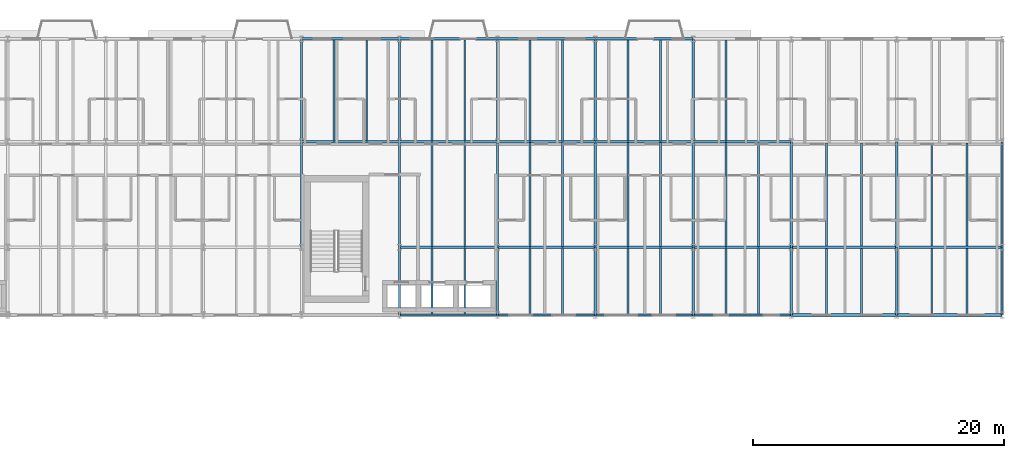
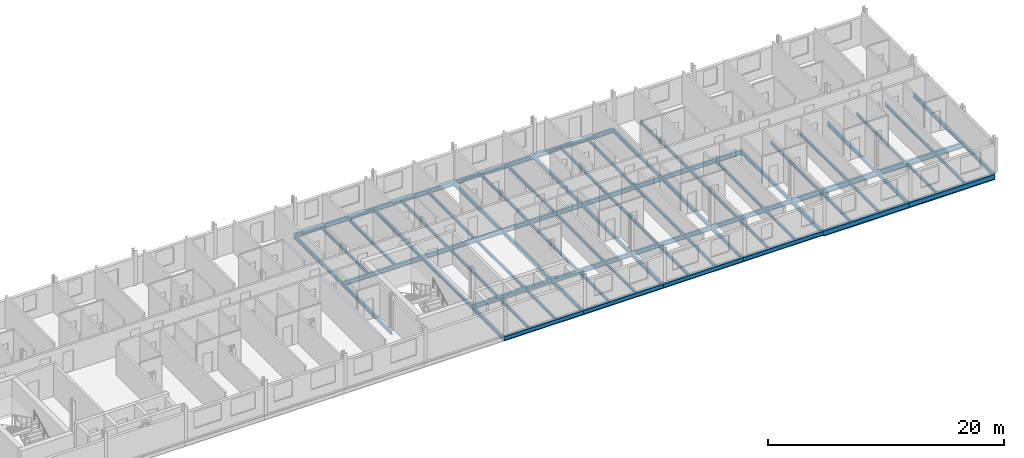
# One storey, part 13 of 36: 74 beams.
"""IFC4 building model written with IfcOpenShell, lengths in metres."""

from ifc_helpers import new_model, si_unit, direction, frame, origin, origin_2d, place, context, subcontext, project, spatial, i_section, extrude, material, material_profile, profile_set, type_object, element, save


model = new_model("IFC4")

# Units and contexts
model_context = context("Model", 3, precision=1e-05, world=origin(), true_north=direction((0.0, 1.0)))
body_context = subcontext(model_context, "Body", "Model", "MODEL_VIEW")
ifc_project = project(units=[si_unit("LENGTHUNIT", "METRE"), si_unit("AREAUNIT", "SQUARE_METRE"), si_unit("VOLUMEUNIT", "CUBIC_METRE"), si_unit("PLANEANGLEUNIT", "RADIAN"), si_unit("MASSUNIT", "GRAM", prefix="KILO")], contexts=[model_context])

# Site, building, storey
site_placement = place(None, origin())
site = spatial("IfcSite", under=ifc_project, at=site_placement, CompositionType="ELEMENT")
building_placement = place(site_placement, origin())
building = spatial("IfcBuilding", under=site, at=building_placement, Name="Sefraquen Railside Congress Hotel", CompositionType="ELEMENT")
storey_placement = place(building_placement, frame((0.0, 0.0, 28.199951171875)))
storey = spatial("IfcBuildingStorey", under=building, at=storey_placement, Name="L06", CompositionType="ELEMENT", Elevation=28.199951171875)

# Beams
ifc_material = material(Name="Steel S355JR", Category="steel")
ifc_material_profile_1 = material_profile(ifc_material, i_section(OverallWidth=0.179931640625, OverallDepth=0.39990234375, WebThickness=0.008544921875, FlangeThickness=0.013427734375, FilletRadius=0.02099609375, at=origin_2d()), Name="IPE 400")
ifc_profile_set_1 = profile_set([ifc_material_profile_1], Name="Steel S355JR")
beam_type_1 = type_object("IfcBeamType", Name="TB-BM-400I", PredefinedType="BEAM", material=ifc_profile_set_1)
beam_1_placement = place(storey_placement, frame((64.199951171875, 101.39990234375, -0.4599609375), z_axis=(0.0, 1.0, 0.0), x_axis=(-1.0, 0.0, 0.0)))
element("IfcBeam", 1, at=beam_1_placement, inside=storey, type_object=beam_type_1, Name="Floor beam BM-L06-1684", PredefinedType="BEAM", context=body_context, shape_type="SweptSolid", body=[
    extrude(i_section(OverallWidth=0.179931640625, OverallDepth=0.39990234375, WebThickness=0.008544921875, FlangeThickness=0.013427734375, FilletRadius=0.02099609375, at=origin_2d()), origin(), (0.0, 0.0, 1.0), 8.400146484375),
])
beam_2_placement = place(storey_placement, frame((64.199951171875, 109.800048828125, -0.4599609375), z_axis=(0.0, 1.0, 0.0), x_axis=(-1.0, 0.0, 0.0)))
element("IfcBeam", 2, at=beam_2_placement, inside=storey, type_object=beam_type_1, Name="Floor beam BM-L06-1685", PredefinedType="BEAM", context=body_context, shape_type="SweptSolid", body=[
    extrude(i_section(OverallWidth=0.179931640625, OverallDepth=0.39990234375, WebThickness=0.008544921875, FlangeThickness=0.013427734375, FilletRadius=0.02099609375, at=origin_2d()), origin(), (0.0, 0.0, 1.0), 8.199951171875),
])
beam_3_placement = place(storey_placement, frame((72.0, 96.0, -0.4599609375), z_axis=(0.0, 1.0, 0.0), x_axis=(-1.0, 0.0, 0.0)))
element("IfcBeam", 3, at=beam_3_placement, inside=storey, type_object=beam_type_1, Name="Floor beam BM-L06-1686", PredefinedType="BEAM", context=body_context, shape_type="SweptSolid", body=[
    extrude(i_section(OverallWidth=0.179931640625, OverallDepth=0.39990234375, WebThickness=0.008544921875, FlangeThickness=0.013427734375, FilletRadius=0.02099609375, at=origin_2d()), origin(), (0.0, 0.0, 1.0), 5.39990234375),
])
beam_4_placement = place(storey_placement, frame((72.0, 101.39990234375, -0.4599609375), z_axis=(0.0, 1.0, 0.0), x_axis=(-1.0, 0.0, 0.0)))
element("IfcBeam", 4, at=beam_4_placement, inside=storey, type_object=beam_type_1, Name="Floor beam BM-L06-1687", PredefinedType="BEAM", context=body_context, shape_type="SweptSolid", body=[
    extrude(i_section(OverallWidth=0.179931640625, OverallDepth=0.39990234375, WebThickness=0.008544921875, FlangeThickness=0.013427734375, FilletRadius=0.02099609375, at=origin_2d()), origin(), (0.0, 0.0, 1.0), 8.400146484375),
])
beam_5_placement = place(storey_placement, frame((72.0, 109.800048828125, -0.4599609375), z_axis=(0.0, 1.0, 0.0), x_axis=(-1.0, 0.0, 0.0)))
element("IfcBeam", 5, at=beam_5_placement, inside=storey, type_object=beam_type_1, Name="Floor beam BM-L06-1688", PredefinedType="BEAM", context=body_context, shape_type="SweptSolid", body=[
    extrude(i_section(OverallWidth=0.179931640625, OverallDepth=0.39990234375, WebThickness=0.008544921875, FlangeThickness=0.013427734375, FilletRadius=0.02099609375, at=origin_2d()), origin(), (0.0, 0.0, 1.0), 8.199951171875),
])
beam_6_placement = place(storey_placement, frame((79.800048828125, 96.0, -0.4599609375), z_axis=(0.0, 1.0, 0.0), x_axis=(-1.0, 0.0, 0.0)))
element("IfcBeam", 6, at=beam_6_placement, inside=storey, type_object=beam_type_1, Name="Floor beam BM-L06-1689", PredefinedType="BEAM", context=body_context, shape_type="SweptSolid", body=[
    extrude(i_section(OverallWidth=0.179931640625, OverallDepth=0.39990234375, WebThickness=0.008544921875, FlangeThickness=0.013427734375, FilletRadius=0.02099609375, at=origin_2d()), origin(), (0.0, 0.0, 1.0), 5.39990234375),
])
beam_7_placement = place(storey_placement, frame((79.800048828125, 101.39990234375, -0.4599609375), z_axis=(0.0, 1.0, 0.0), x_axis=(-1.0, 0.0, 0.0)))
element("IfcBeam", 7, at=beam_7_placement, inside=storey, type_object=beam_type_1, Name="Floor beam BM-L06-1690", PredefinedType="BEAM", context=body_context, shape_type="SweptSolid", body=[
    extrude(i_section(OverallWidth=0.179931640625, OverallDepth=0.39990234375, WebThickness=0.008544921875, FlangeThickness=0.013427734375, FilletRadius=0.02099609375, at=origin_2d()), origin(), (0.0, 0.0, 1.0), 8.400146484375),
])
beam_8_placement = place(storey_placement, frame((79.800048828125, 109.800048828125, -0.4599609375), z_axis=(0.0, 1.0, 0.0), x_axis=(-1.0, 0.0, 0.0)))
element("IfcBeam", 8, at=beam_8_placement, inside=storey, type_object=beam_type_1, Name="Floor beam BM-L06-1691", PredefinedType="BEAM", context=body_context, shape_type="SweptSolid", body=[
    extrude(i_section(OverallWidth=0.179931640625, OverallDepth=0.39990234375, WebThickness=0.008544921875, FlangeThickness=0.013427734375, FilletRadius=0.02099609375, at=origin_2d()), origin(), (0.0, 0.0, 1.0), 8.199951171875),
])
beam_9_placement = place(storey_placement, frame((87.60009765625, 96.0, -0.4599609375), z_axis=(0.0, 1.0, 0.0), x_axis=(-1.0, 0.0, 0.0)))
element("IfcBeam", 9, at=beam_9_placement, inside=storey, type_object=beam_type_1, Name="Floor beam BM-L06-1692", PredefinedType="BEAM", context=body_context, shape_type="SweptSolid", body=[
    extrude(i_section(OverallWidth=0.179931640625, OverallDepth=0.39990234375, WebThickness=0.008544921875, FlangeThickness=0.013427734375, FilletRadius=0.02099609375, at=origin_2d()), origin(), (0.0, 0.0, 1.0), 5.39990234375),
])
beam_10_placement = place(storey_placement, frame((87.60009765625, 101.39990234375, -0.4599609375), z_axis=(0.0, 1.0, 0.0), x_axis=(-1.0, 0.0, 0.0)))
element("IfcBeam", 10, at=beam_10_placement, inside=storey, type_object=beam_type_1, Name="Floor beam BM-L06-1693", PredefinedType="BEAM", context=body_context, shape_type="SweptSolid", body=[
    extrude(i_section(OverallWidth=0.179931640625, OverallDepth=0.39990234375, WebThickness=0.008544921875, FlangeThickness=0.013427734375, FilletRadius=0.02099609375, at=origin_2d()), origin(), (0.0, 0.0, 1.0), 8.400146484375),
])
beam_11_placement = place(storey_placement, frame((87.60009765625, 109.800048828125, -0.4599609375), z_axis=(0.0, 1.0, 0.0), x_axis=(-1.0, 0.0, 0.0)))
element("IfcBeam", 11, at=beam_11_placement, inside=storey, type_object=beam_type_1, Name="Floor beam BM-L06-1694", PredefinedType="BEAM", context=body_context, shape_type="SweptSolid", body=[
    extrude(i_section(OverallWidth=0.179931640625, OverallDepth=0.39990234375, WebThickness=0.008544921875, FlangeThickness=0.013427734375, FilletRadius=0.02099609375, at=origin_2d()), origin(), (0.0, 0.0, 1.0), 8.199951171875),
])
beam_12_placement = place(storey_placement, frame((95.39990234375, 96.0, -0.4599609375), z_axis=(0.0, 1.0, 0.0), x_axis=(-1.0, 0.0, 0.0)))
element("IfcBeam", 12, at=beam_12_placement, inside=storey, type_object=beam_type_1, Name="Floor beam BM-L06-1695", PredefinedType="BEAM", context=body_context, shape_type="SweptSolid", body=[
    extrude(i_section(OverallWidth=0.179931640625, OverallDepth=0.39990234375, WebThickness=0.008544921875, FlangeThickness=0.013427734375, FilletRadius=0.02099609375, at=origin_2d()), origin(), (0.0, 0.0, 1.0), 5.39990234375),
])
beam_13_placement = place(storey_placement, frame((95.39990234375, 101.39990234375, -0.4599609375), z_axis=(0.0, 1.0, 0.0), x_axis=(-1.0, 0.0, 0.0)))
element("IfcBeam", 13, at=beam_13_placement, inside=storey, type_object=beam_type_1, Name="Floor beam BM-L06-1696", PredefinedType="BEAM", context=body_context, shape_type="SweptSolid", body=[
    extrude(i_section(OverallWidth=0.179931640625, OverallDepth=0.39990234375, WebThickness=0.008544921875, FlangeThickness=0.013427734375, FilletRadius=0.02099609375, at=origin_2d()), origin(), (0.0, 0.0, 1.0), 8.400146484375),
])
beam_14_placement = place(storey_placement, frame((95.39990234375, 109.800048828125, -0.4599609375), z_axis=(0.0, 1.0, 0.0), x_axis=(-1.0, 0.0, 0.0)))
element("IfcBeam", 14, at=beam_14_placement, inside=storey, type_object=beam_type_1, Name="Floor beam BM-L06-1697", PredefinedType="BEAM", context=body_context, shape_type="SweptSolid", body=[
    extrude(i_section(OverallWidth=0.179931640625, OverallDepth=0.39990234375, WebThickness=0.008544921875, FlangeThickness=0.013427734375, FilletRadius=0.02099609375, at=origin_2d()), origin(), (0.0, 0.0, 1.0), 8.199951171875),
])
beam_15_placement = place(storey_placement, frame((103.199951171875, 96.0, -0.4599609375), z_axis=(0.0, 1.0, 0.0), x_axis=(-1.0, 0.0, 0.0)))
element("IfcBeam", 15, at=beam_15_placement, inside=storey, type_object=beam_type_1, Name="Floor beam BM-L06-1698", PredefinedType="BEAM", context=body_context, shape_type="SweptSolid", body=[
    extrude(i_section(OverallWidth=0.179931640625, OverallDepth=0.39990234375, WebThickness=0.008544921875, FlangeThickness=0.013427734375, FilletRadius=0.02099609375, at=origin_2d()), origin(), (0.0, 0.0, 1.0), 5.39990234375),
])
beam_16_placement = place(storey_placement, frame((103.199951171875, 101.39990234375, -0.4599609375), z_axis=(0.0, 1.0, 0.0), x_axis=(-1.0, 0.0, 0.0)))
element("IfcBeam", 16, at=beam_16_placement, inside=storey, type_object=beam_type_1, Name="Floor beam BM-L06-1699", PredefinedType="BEAM", context=body_context, shape_type="SweptSolid", body=[
    extrude(i_section(OverallWidth=0.179931640625, OverallDepth=0.39990234375, WebThickness=0.008544921875, FlangeThickness=0.013427734375, FilletRadius=0.02099609375, at=origin_2d()), origin(), (0.0, 0.0, 1.0), 8.400146484375),
])
beam_17_placement = place(storey_placement, frame((111.60009765625, 96.0, -0.4599609375), z_axis=(0.0, 1.0, 0.0), x_axis=(-1.0, 0.0, 0.0)))
element("IfcBeam", 17, at=beam_17_placement, inside=storey, type_object=beam_type_1, Name="Floor beam BM-L06-1701", PredefinedType="BEAM", context=body_context, shape_type="SweptSolid", body=[
    extrude(i_section(OverallWidth=0.179931640625, OverallDepth=0.39990234375, WebThickness=0.008544921875, FlangeThickness=0.013427734375, FilletRadius=0.02099609375, at=origin_2d()), origin(), (0.0, 0.0, 1.0), 5.39990234375),
])
beam_18_placement = place(storey_placement, frame((111.60009765625, 101.39990234375, -0.4599609375), z_axis=(0.0, 1.0, 0.0), x_axis=(-1.0, 0.0, 0.0)))
element("IfcBeam", 18, at=beam_18_placement, inside=storey, type_object=beam_type_1, Name="Floor beam BM-L06-1702", PredefinedType="BEAM", context=body_context, shape_type="SweptSolid", body=[
    extrude(i_section(OverallWidth=0.179931640625, OverallDepth=0.39990234375, WebThickness=0.008544921875, FlangeThickness=0.013427734375, FilletRadius=0.02099609375, at=origin_2d()), origin(), (0.0, 0.0, 1.0), 8.400146484375),
])
beam_19_placement = place(storey_placement, frame((120.0, 96.0, -0.4599609375), z_axis=(0.0, 1.0, 0.0), x_axis=(-1.0, 0.0, 0.0)))
element("IfcBeam", 19, at=beam_19_placement, inside=storey, type_object=beam_type_1, Name="Floor beam BM-L06-1704", PredefinedType="BEAM", context=body_context, shape_type="SweptSolid", body=[
    extrude(i_section(OverallWidth=0.179931640625, OverallDepth=0.39990234375, WebThickness=0.008544921875, FlangeThickness=0.013427734375, FilletRadius=0.02099609375, at=origin_2d()), origin(), (0.0, 0.0, 1.0), 5.39990234375),
])
beam_20_placement = place(storey_placement, frame((120.0, 101.39990234375, -0.4599609375), z_axis=(0.0, 1.0, 0.0), x_axis=(-1.0, 0.0, 0.0)))
element("IfcBeam", 20, at=beam_20_placement, inside=storey, type_object=beam_type_1, Name="Floor beam BM-L06-1705", PredefinedType="BEAM", context=body_context, shape_type="SweptSolid", body=[
    extrude(i_section(OverallWidth=0.179931640625, OverallDepth=0.39990234375, WebThickness=0.008544921875, FlangeThickness=0.013427734375, FilletRadius=0.02099609375, at=origin_2d()), origin(), (0.0, 0.0, 1.0), 8.400146484375),
])
ifc_material_profile_2 = material_profile(ifc_material, i_section(OverallWidth=0.18994140625, OverallDepth=0.449951171875, WebThickness=0.009521484375, FlangeThickness=0.0146484375, FilletRadius=0.02099609375, at=origin_2d()), Name="IPE 450")
ifc_profile_set_2 = profile_set([ifc_material_profile_2], Name="Steel S355JR")
beam_type_2 = type_object("IfcBeamType", Name="TB-BM-450", PredefinedType="BEAM", material=ifc_profile_set_2)
for number, where, z_axis, x_axis, name in (
    (21, (72.0, 96.0, -0.48486328125), (1.0, 0.0, 0.0), (0.0, 1.0, 0.0), "Primary girder BM-L06-1605"),
    (22, (79.800048828125, 96.0, -0.48486328125), (1.0, 0.0, 0.0), (0.0, 1.0, 0.0), "Primary girder BM-L06-1606"),
):
    element("IfcBeam", number, at=place(storey_placement, frame(where, z_axis=z_axis, x_axis=x_axis)), inside=storey, type_object=beam_type_2, Name=name, PredefinedType="BEAM", context=body_context, shape_type="SweptSolid", body=[
        extrude(i_section(OverallWidth=0.18994140625, OverallDepth=0.449951171875, WebThickness=0.009521484375, FlangeThickness=0.0146484375, FilletRadius=0.02099609375, at=origin_2d()), origin(), (0.0, 0.0, 1.0), 7.800048828125),
    ])
beam_21_placement = place(storey_placement, frame((87.60009765625, 96.0, -0.48486328125), z_axis=(1.0, 0.0, 0.0), x_axis=(0.0, 1.0, 0.0)))
element("IfcBeam", 23, at=beam_21_placement, inside=storey, type_object=beam_type_2, Name="Primary girder BM-L06-1607", PredefinedType="BEAM", context=body_context, shape_type="SweptSolid", body=[
    extrude(i_section(OverallWidth=0.18994140625, OverallDepth=0.449951171875, WebThickness=0.009521484375, FlangeThickness=0.0146484375, FilletRadius=0.02099609375, at=origin_2d()), origin(), (0.0, 0.0, 1.0), 7.7998046875),
])
for number, where, z_axis, x_axis, name in (
    (24, (95.39990234375, 96.0, -0.48486328125), (1.0, 0.0, 0.0), (0.0, 1.0, 0.0), "Primary girder BM-L06-1608"),
    (25, (72.0, 101.39990234375, -0.48486328125), (1.0, 0.0, 0.0), (0.0, 1.0, 0.0), "Primary girder BM-L06-1617"),
    (26, (79.800048828125, 101.39990234375, -0.48486328125), (1.0, 0.0, 0.0), (0.0, 1.0, 0.0), "Primary girder BM-L06-1618"),
):
    element("IfcBeam", number, at=place(storey_placement, frame(where, z_axis=z_axis, x_axis=x_axis)), inside=storey, type_object=beam_type_2, Name=name, PredefinedType="BEAM", context=body_context, shape_type="SweptSolid", body=[
        extrude(i_section(OverallWidth=0.18994140625, OverallDepth=0.449951171875, WebThickness=0.009521484375, FlangeThickness=0.0146484375, FilletRadius=0.02099609375, at=origin_2d()), origin(), (0.0, 0.0, 1.0), 7.800048828125),
    ])
beam_22_placement = place(storey_placement, frame((87.60009765625, 101.39990234375, -0.48486328125), z_axis=(1.0, 0.0, 0.0), x_axis=(0.0, 1.0, 0.0)))
element("IfcBeam", 27, at=beam_22_placement, inside=storey, type_object=beam_type_2, Name="Primary girder BM-L06-1619", PredefinedType="BEAM", context=body_context, shape_type="SweptSolid", body=[
    extrude(i_section(OverallWidth=0.18994140625, OverallDepth=0.449951171875, WebThickness=0.009521484375, FlangeThickness=0.0146484375, FilletRadius=0.02099609375, at=origin_2d()), origin(), (0.0, 0.0, 1.0), 7.7998046875),
])
for number, where, z_axis, x_axis, name in (
    (28, (95.39990234375, 101.39990234375, -0.48486328125), (1.0, 0.0, 0.0), (0.0, 1.0, 0.0), "Primary girder BM-L06-1620"),
    (29, (64.199951171875, 109.800048828125, -0.48486328125), (1.0, 0.0, 0.0), (0.0, 1.0, 0.0), "Primary girder BM-L06-1630"),
    (30, (72.0, 109.800048828125, -0.48486328125), (1.0, 0.0, 0.0), (0.0, 1.0, 0.0), "Primary girder BM-L06-1631"),
    (31, (79.800048828125, 109.800048828125, -0.48486328125), (1.0, 0.0, 0.0), (0.0, 1.0, 0.0), "Primary girder BM-L06-1632"),
):
    element("IfcBeam", number, at=place(storey_placement, frame(where, z_axis=z_axis, x_axis=x_axis)), inside=storey, type_object=beam_type_2, Name=name, PredefinedType="BEAM", context=body_context, shape_type="SweptSolid", body=[
        extrude(i_section(OverallWidth=0.18994140625, OverallDepth=0.449951171875, WebThickness=0.009521484375, FlangeThickness=0.0146484375, FilletRadius=0.02099609375, at=origin_2d()), origin(), (0.0, 0.0, 1.0), 7.800048828125),
    ])
beam_23_placement = place(storey_placement, frame((87.60009765625, 109.800048828125, -0.48486328125), z_axis=(1.0, 0.0, 0.0), x_axis=(0.0, 1.0, 0.0)))
element("IfcBeam", 32, at=beam_23_placement, inside=storey, type_object=beam_type_2, Name="Primary girder BM-L06-1633", PredefinedType="BEAM", context=body_context, shape_type="SweptSolid", body=[
    extrude(i_section(OverallWidth=0.18994140625, OverallDepth=0.449951171875, WebThickness=0.009521484375, FlangeThickness=0.0146484375, FilletRadius=0.02099609375, at=origin_2d()), origin(), (0.0, 0.0, 1.0), 7.7998046875),
])
for number, where, z_axis, x_axis, name in (
    (33, (95.39990234375, 109.800048828125, -0.48486328125), (1.0, 0.0, 0.0), (0.0, 1.0, 0.0), "Primary girder BM-L06-1634"),
    (34, (64.199951171875, 118.0, -0.48486328125), (1.0, 0.0, 0.0), (0.0, 1.0, 0.0), "Primary girder BM-L06-1642"),
    (35, (72.0, 118.0, -0.48486328125), (1.0, 0.0, 0.0), (0.0, 1.0, 0.0), "Primary girder BM-L06-1643"),
    (36, (79.800048828125, 118.0, -0.48486328125), (1.0, 0.0, 0.0), (0.0, 1.0, 0.0), "Primary girder BM-L06-1644"),
):
    element("IfcBeam", number, at=place(storey_placement, frame(where, z_axis=z_axis, x_axis=x_axis)), inside=storey, type_object=beam_type_2, Name=name, PredefinedType="BEAM", context=body_context, shape_type="SweptSolid", body=[
        extrude(i_section(OverallWidth=0.18994140625, OverallDepth=0.449951171875, WebThickness=0.009521484375, FlangeThickness=0.0146484375, FilletRadius=0.02099609375, at=origin_2d()), origin(), (0.0, 0.0, 1.0), 7.800048828125),
    ])
beam_24_placement = place(storey_placement, frame((87.60009765625, 118.0, -0.48486328125), z_axis=(1.0, 0.0, 0.0), x_axis=(0.0, 1.0, 0.0)))
element("IfcBeam", 37, at=beam_24_placement, inside=storey, type_object=beam_type_2, Name="Primary girder BM-L06-1645", PredefinedType="BEAM", context=body_context, shape_type="SweptSolid", body=[
    extrude(i_section(OverallWidth=0.18994140625, OverallDepth=0.449951171875, WebThickness=0.009521484375, FlangeThickness=0.0146484375, FilletRadius=0.02099609375, at=origin_2d()), origin(), (0.0, 0.0, 1.0), 7.7998046875),
])
ifc_material_profile_3 = material_profile(ifc_material, i_section(OverallWidth=0.2099609375, OverallDepth=0.550048828125, WebThickness=0.010986328125, FlangeThickness=0.01708984375, FilletRadius=0.02392578125, at=origin_2d()), Name="IPE 550")
ifc_profile_set_3 = profile_set([ifc_material_profile_3], Name="Steel S355JR")
beam_type_3 = type_object("IfcBeamType", Name="TB-GIR-550", PredefinedType="T_BEAM", material=ifc_profile_set_3)
beam_25_placement = place(storey_placement, frame((103.199951171875, 96.0, -0.534912109375), z_axis=(1.0, 0.0, 0.0), x_axis=(0.0, 1.0, 0.0)))
element("IfcBeam", 38, at=beam_25_placement, inside=storey, type_object=beam_type_3, Name="Primary girder BM-L06-1609", PredefinedType="T_BEAM", context=body_context, shape_type="SweptSolid", body=[
    extrude(i_section(OverallWidth=0.2099609375, OverallDepth=0.550048828125, WebThickness=0.010986328125, FlangeThickness=0.01708984375, FilletRadius=0.02392578125, at=origin_2d()), origin(), (0.0, 0.0, 1.0), 8.400146484375),
])
beam_26_placement = place(storey_placement, frame((111.60009765625, 96.0, -0.534912109375), z_axis=(1.0, 0.0, 0.0), x_axis=(0.0, 1.0, 0.0)))
element("IfcBeam", 39, at=beam_26_placement, inside=storey, type_object=beam_type_3, Name="Primary girder BM-L06-1610", PredefinedType="T_BEAM", context=body_context, shape_type="SweptSolid", body=[
    extrude(i_section(OverallWidth=0.2099609375, OverallDepth=0.550048828125, WebThickness=0.010986328125, FlangeThickness=0.01708984375, FilletRadius=0.02392578125, at=origin_2d()), origin(), (0.0, 0.0, 1.0), 8.39990234375),
])
beam_27_placement = place(storey_placement, frame((103.199951171875, 101.39990234375, -0.534912109375), z_axis=(1.0, 0.0, 0.0), x_axis=(0.0, 1.0, 0.0)))
element("IfcBeam", 40, at=beam_27_placement, inside=storey, type_object=beam_type_3, Name="Primary girder BM-L06-1621", PredefinedType="T_BEAM", context=body_context, shape_type="SweptSolid", body=[
    extrude(i_section(OverallWidth=0.2099609375, OverallDepth=0.550048828125, WebThickness=0.010986328125, FlangeThickness=0.01708984375, FilletRadius=0.02392578125, at=origin_2d()), origin(), (0.0, 0.0, 1.0), 8.400146484375),
])
beam_28_placement = place(storey_placement, frame((111.60009765625, 101.39990234375, -0.534912109375), z_axis=(1.0, 0.0, 0.0), x_axis=(0.0, 1.0, 0.0)))
element("IfcBeam", 41, at=beam_28_placement, inside=storey, type_object=beam_type_3, Name="Primary girder BM-L06-1622", PredefinedType="T_BEAM", context=body_context, shape_type="SweptSolid", body=[
    extrude(i_section(OverallWidth=0.2099609375, OverallDepth=0.550048828125, WebThickness=0.010986328125, FlangeThickness=0.01708984375, FilletRadius=0.02392578125, at=origin_2d()), origin(), (0.0, 0.0, 1.0), 8.39990234375),
])
ifc_material_profile_4 = material_profile(ifc_material, i_section(OverallWidth=0.14990234375, OverallDepth=0.300048828125, WebThickness=0.007080078125, FlangeThickness=0.0107421875, FilletRadius=0.014892578125, at=origin_2d()), Name="IPE 300")
ifc_profile_set_4 = profile_set([ifc_material_profile_4], Name="Steel S355JR")
beam_type_4 = type_object("IfcBeamType", Name="TB-JST-300", PredefinedType="JOIST", material=ifc_profile_set_4)
for number, where, z_axis, x_axis, name in (
    (42, (66.800048828125, 109.875, -0.409912109375), (0.0, 1.0, 0.0), (-1.0, 0.0, 0.0), "Composite floor joist BM-L06-J1106"),
    (43, (69.39990234375, 109.875, -0.409912109375), (0.0, 1.0, 0.0), (-1.0, 0.0, 0.0), "Composite floor joist BM-L06-J1107"),
):
    element("IfcBeam", number, at=place(storey_placement, frame(where, z_axis=z_axis, x_axis=x_axis)), inside=storey, type_object=beam_type_4, Name=name, PredefinedType="JOIST", context=body_context, shape_type="SweptSolid", body=[
        extrude(i_section(OverallWidth=0.14990234375, OverallDepth=0.300048828125, WebThickness=0.007080078125, FlangeThickness=0.0107421875, FilletRadius=0.014892578125, at=origin_2d()), origin(), (0.0, 0.0, 1.0), 8.050048828125),
    ])
for number, where, z_axis, x_axis, name in (
    (44, (74.60009765625, 96.074951171875, -0.409912109375), (0.0, 1.0, 0.0), (-1.0, 0.0, 0.0), "Composite floor joist BM-L06-J1108"),
    (45, (77.199951171875, 96.074951171875, -0.409912109375), (0.0, 1.0, 0.0), (-1.0, 0.0, 0.0), "Composite floor joist BM-L06-J1109"),
):
    element("IfcBeam", number, at=place(storey_placement, frame(where, z_axis=z_axis, x_axis=x_axis)), inside=storey, type_object=beam_type_4, Name=name, PredefinedType="JOIST", context=body_context, shape_type="SweptSolid", body=[
        extrude(i_section(OverallWidth=0.14990234375, OverallDepth=0.300048828125, WebThickness=0.007080078125, FlangeThickness=0.0107421875, FilletRadius=0.014892578125, at=origin_2d()), origin(), (0.0, 0.0, 1.0), 5.25),
    ])
for number, where, z_axis, x_axis, name in (
    (46, (74.60009765625, 101.47509765625, -0.409912109375), (0.0, 1.0, 0.0), (-1.0, 0.0, 0.0), "Composite floor joist BM-L06-J1110"),
    (47, (77.199951171875, 101.47509765625, -0.409912109375), (0.0, 1.0, 0.0), (-1.0, 0.0, 0.0), "Composite floor joist BM-L06-J1111"),
):
    element("IfcBeam", number, at=place(storey_placement, frame(where, z_axis=z_axis, x_axis=x_axis)), inside=storey, type_object=beam_type_4, Name=name, PredefinedType="JOIST", context=body_context, shape_type="SweptSolid", body=[
        extrude(i_section(OverallWidth=0.14990234375, OverallDepth=0.300048828125, WebThickness=0.007080078125, FlangeThickness=0.0107421875, FilletRadius=0.014892578125, at=origin_2d()), origin(), (0.0, 0.0, 1.0), 8.25),
    ])
for number, where, z_axis, x_axis, name in (
    (48, (74.60009765625, 109.875, -0.409912109375), (0.0, 1.0, 0.0), (-1.0, 0.0, 0.0), "Composite floor joist BM-L06-J1112"),
    (49, (77.199951171875, 109.875, -0.409912109375), (0.0, 1.0, 0.0), (-1.0, 0.0, 0.0), "Composite floor joist BM-L06-J1113"),
):
    element("IfcBeam", number, at=place(storey_placement, frame(where, z_axis=z_axis, x_axis=x_axis)), inside=storey, type_object=beam_type_4, Name=name, PredefinedType="JOIST", context=body_context, shape_type="SweptSolid", body=[
        extrude(i_section(OverallWidth=0.14990234375, OverallDepth=0.300048828125, WebThickness=0.007080078125, FlangeThickness=0.0107421875, FilletRadius=0.014892578125, at=origin_2d()), origin(), (0.0, 0.0, 1.0), 8.050048828125),
    ])
for number, where, z_axis, x_axis, name in (
    (50, (82.39990234375, 96.074951171875, -0.409912109375), (0.0, 1.0, 0.0), (-1.0, 0.0, 0.0), "Composite floor joist BM-L06-J1114"),
    (51, (85.0, 96.074951171875, -0.409912109375), (0.0, 1.0, 0.0), (-1.0, 0.0, 0.0), "Composite floor joist BM-L06-J1115"),
):
    element("IfcBeam", number, at=place(storey_placement, frame(where, z_axis=z_axis, x_axis=x_axis)), inside=storey, type_object=beam_type_4, Name=name, PredefinedType="JOIST", context=body_context, shape_type="SweptSolid", body=[
        extrude(i_section(OverallWidth=0.14990234375, OverallDepth=0.300048828125, WebThickness=0.007080078125, FlangeThickness=0.0107421875, FilletRadius=0.014892578125, at=origin_2d()), origin(), (0.0, 0.0, 1.0), 5.25),
    ])
for number, where, z_axis, x_axis, name in (
    (52, (82.39990234375, 101.47509765625, -0.409912109375), (0.0, 1.0, 0.0), (-1.0, 0.0, 0.0), "Composite floor joist BM-L06-J1116"),
    (53, (85.0, 101.47509765625, -0.409912109375), (0.0, 1.0, 0.0), (-1.0, 0.0, 0.0), "Composite floor joist BM-L06-J1117"),
):
    element("IfcBeam", number, at=place(storey_placement, frame(where, z_axis=z_axis, x_axis=x_axis)), inside=storey, type_object=beam_type_4, Name=name, PredefinedType="JOIST", context=body_context, shape_type="SweptSolid", body=[
        extrude(i_section(OverallWidth=0.14990234375, OverallDepth=0.300048828125, WebThickness=0.007080078125, FlangeThickness=0.0107421875, FilletRadius=0.014892578125, at=origin_2d()), origin(), (0.0, 0.0, 1.0), 8.25),
    ])
for number, where, z_axis, x_axis, name in (
    (54, (82.39990234375, 109.875, -0.409912109375), (0.0, 1.0, 0.0), (-1.0, 0.0, 0.0), "Composite floor joist BM-L06-J1118"),
    (55, (85.0, 109.875, -0.409912109375), (0.0, 1.0, 0.0), (-1.0, 0.0, 0.0), "Composite floor joist BM-L06-J1119"),
):
    element("IfcBeam", number, at=place(storey_placement, frame(where, z_axis=z_axis, x_axis=x_axis)), inside=storey, type_object=beam_type_4, Name=name, PredefinedType="JOIST", context=body_context, shape_type="SweptSolid", body=[
        extrude(i_section(OverallWidth=0.14990234375, OverallDepth=0.300048828125, WebThickness=0.007080078125, FlangeThickness=0.0107421875, FilletRadius=0.014892578125, at=origin_2d()), origin(), (0.0, 0.0, 1.0), 8.050048828125),
    ])
for number, where, z_axis, x_axis, name in (
    (56, (90.199951171875, 96.074951171875, -0.409912109375), (0.0, 1.0, 0.0), (-1.0, 0.0, 0.0), "Composite floor joist BM-L06-J1120"),
    (57, (92.800048828125, 96.074951171875, -0.409912109375), (0.0, 1.0, 0.0), (-1.0, 0.0, 0.0), "Composite floor joist BM-L06-J1121"),
):
    element("IfcBeam", number, at=place(storey_placement, frame(where, z_axis=z_axis, x_axis=x_axis)), inside=storey, type_object=beam_type_4, Name=name, PredefinedType="JOIST", context=body_context, shape_type="SweptSolid", body=[
        extrude(i_section(OverallWidth=0.14990234375, OverallDepth=0.300048828125, WebThickness=0.007080078125, FlangeThickness=0.0107421875, FilletRadius=0.014892578125, at=origin_2d()), origin(), (0.0, 0.0, 1.0), 5.25),
    ])
for number, where, z_axis, x_axis, name in (
    (58, (90.199951171875, 101.47509765625, -0.409912109375), (0.0, 1.0, 0.0), (-1.0, 0.0, 0.0), "Composite floor joist BM-L06-J1122"),
    (59, (92.800048828125, 101.47509765625, -0.409912109375), (0.0, 1.0, 0.0), (-1.0, 0.0, 0.0), "Composite floor joist BM-L06-J1123"),
):
    element("IfcBeam", number, at=place(storey_placement, frame(where, z_axis=z_axis, x_axis=x_axis)), inside=storey, type_object=beam_type_4, Name=name, PredefinedType="JOIST", context=body_context, shape_type="SweptSolid", body=[
        extrude(i_section(OverallWidth=0.14990234375, OverallDepth=0.300048828125, WebThickness=0.007080078125, FlangeThickness=0.0107421875, FilletRadius=0.014892578125, at=origin_2d()), origin(), (0.0, 0.0, 1.0), 8.25),
    ])
for number, where, z_axis, x_axis, name in (
    (60, (90.199951171875, 109.875, -0.409912109375), (0.0, 1.0, 0.0), (-1.0, 0.0, 0.0), "Composite floor joist BM-L06-J1124"),
    (61, (92.800048828125, 109.875, -0.409912109375), (0.0, 1.0, 0.0), (-1.0, 0.0, 0.0), "Composite floor joist BM-L06-J1125"),
):
    element("IfcBeam", number, at=place(storey_placement, frame(where, z_axis=z_axis, x_axis=x_axis)), inside=storey, type_object=beam_type_4, Name=name, PredefinedType="JOIST", context=body_context, shape_type="SweptSolid", body=[
        extrude(i_section(OverallWidth=0.14990234375, OverallDepth=0.300048828125, WebThickness=0.007080078125, FlangeThickness=0.0107421875, FilletRadius=0.014892578125, at=origin_2d()), origin(), (0.0, 0.0, 1.0), 8.050048828125),
    ])
for number, where, z_axis, x_axis, name in (
    (62, (98.0, 96.074951171875, -0.409912109375), (0.0, 1.0, 0.0), (-1.0, 0.0, 0.0), "Composite floor joist BM-L06-J1126"),
    (63, (100.60009765625, 96.074951171875, -0.409912109375), (0.0, 1.0, 0.0), (-1.0, 0.0, 0.0), "Composite floor joist BM-L06-J1127"),
):
    element("IfcBeam", number, at=place(storey_placement, frame(where, z_axis=z_axis, x_axis=x_axis)), inside=storey, type_object=beam_type_4, Name=name, PredefinedType="JOIST", context=body_context, shape_type="SweptSolid", body=[
        extrude(i_section(OverallWidth=0.14990234375, OverallDepth=0.300048828125, WebThickness=0.007080078125, FlangeThickness=0.0107421875, FilletRadius=0.014892578125, at=origin_2d()), origin(), (0.0, 0.0, 1.0), 5.25),
    ])
for number, where, z_axis, x_axis, name in (
    (64, (98.0, 101.47509765625, -0.409912109375), (0.0, 1.0, 0.0), (-1.0, 0.0, 0.0), "Composite floor joist BM-L06-J1128"),
    (65, (100.60009765625, 101.47509765625, -0.409912109375), (0.0, 1.0, 0.0), (-1.0, 0.0, 0.0), "Composite floor joist BM-L06-J1129"),
):
    element("IfcBeam", number, at=place(storey_placement, frame(where, z_axis=z_axis, x_axis=x_axis)), inside=storey, type_object=beam_type_4, Name=name, PredefinedType="JOIST", context=body_context, shape_type="SweptSolid", body=[
        extrude(i_section(OverallWidth=0.14990234375, OverallDepth=0.300048828125, WebThickness=0.007080078125, FlangeThickness=0.0107421875, FilletRadius=0.014892578125, at=origin_2d()), origin(), (0.0, 0.0, 1.0), 8.25),
    ])
beam_29_placement = place(storey_placement, frame((98.0, 109.875, -0.409912109375), z_axis=(0.0, 1.0, 0.0), x_axis=(-1.0, 0.0, 0.0)))
element("IfcBeam", 66, at=beam_29_placement, inside=storey, type_object=beam_type_4, Name="Composite floor joist BM-L06-J1130", PredefinedType="JOIST", context=body_context, shape_type="SweptSolid", body=[
    extrude(i_section(OverallWidth=0.14990234375, OverallDepth=0.300048828125, WebThickness=0.007080078125, FlangeThickness=0.0107421875, FilletRadius=0.014892578125, at=origin_2d()), origin(), (0.0, 0.0, 1.0), 8.050048828125),
])
for number, where, z_axis, x_axis, name in (
    (67, (106.0, 96.0849609375, -0.409912109375), (0.0, 1.0, 0.0), (-1.0, 0.0, 0.0), "Composite floor joist BM-L06-J1132"),
    (68, (108.800048828125, 96.0849609375, -0.409912109375), (0.0, 1.0, 0.0), (-1.0, 0.0, 0.0), "Composite floor joist BM-L06-J1133"),
):
    element("IfcBeam", number, at=place(storey_placement, frame(where, z_axis=z_axis, x_axis=x_axis)), inside=storey, type_object=beam_type_4, Name=name, PredefinedType="JOIST", context=body_context, shape_type="SweptSolid", body=[
        extrude(i_section(OverallWidth=0.14990234375, OverallDepth=0.300048828125, WebThickness=0.007080078125, FlangeThickness=0.0107421875, FilletRadius=0.014892578125, at=origin_2d()), origin(), (0.0, 0.0, 1.0), 5.22998046875),
    ])
for number, where, z_axis, x_axis, name in (
    (69, (106.0, 101.485107421875, -0.409912109375), (0.0, 1.0, 0.0), (-1.0, 0.0, 0.0), "Composite floor joist BM-L06-J1134"),
    (70, (108.800048828125, 101.485107421875, -0.409912109375), (0.0, 1.0, 0.0), (-1.0, 0.0, 0.0), "Composite floor joist BM-L06-J1135"),
):
    element("IfcBeam", number, at=place(storey_placement, frame(where, z_axis=z_axis, x_axis=x_axis)), inside=storey, type_object=beam_type_4, Name=name, PredefinedType="JOIST", context=body_context, shape_type="SweptSolid", body=[
        extrude(i_section(OverallWidth=0.14990234375, OverallDepth=0.300048828125, WebThickness=0.007080078125, FlangeThickness=0.0107421875, FilletRadius=0.014892578125, at=origin_2d()), origin(), (0.0, 0.0, 1.0), 8.22998046875),
    ])
for number, where, z_axis, x_axis, name in (
    (71, (114.39990234375, 96.0849609375, -0.409912109375), (0.0, 1.0, 0.0), (-1.0, 0.0, 0.0), "Composite floor joist BM-L06-J1138"),
    (72, (117.199951171875, 96.0849609375, -0.409912109375), (0.0, 1.0, 0.0), (-1.0, 0.0, 0.0), "Composite floor joist BM-L06-J1139"),
):
    element("IfcBeam", number, at=place(storey_placement, frame(where, z_axis=z_axis, x_axis=x_axis)), inside=storey, type_object=beam_type_4, Name=name, PredefinedType="JOIST", context=body_context, shape_type="SweptSolid", body=[
        extrude(i_section(OverallWidth=0.14990234375, OverallDepth=0.300048828125, WebThickness=0.007080078125, FlangeThickness=0.0107421875, FilletRadius=0.014892578125, at=origin_2d()), origin(), (0.0, 0.0, 1.0), 5.22998046875),
    ])
for number, where, z_axis, x_axis, name in (
    (73, (114.39990234375, 101.485107421875, -0.409912109375), (0.0, 1.0, 0.0), (-1.0, 0.0, 0.0), "Composite floor joist BM-L06-J1140"),
    (74, (117.199951171875, 101.485107421875, -0.409912109375), (0.0, 1.0, 0.0), (-1.0, 0.0, 0.0), "Composite floor joist BM-L06-J1141"),
):
    element("IfcBeam", number, at=place(storey_placement, frame(where, z_axis=z_axis, x_axis=x_axis)), inside=storey, type_object=beam_type_4, Name=name, PredefinedType="JOIST", context=body_context, shape_type="SweptSolid", body=[
        extrude(i_section(OverallWidth=0.14990234375, OverallDepth=0.300048828125, WebThickness=0.007080078125, FlangeThickness=0.0107421875, FilletRadius=0.014892578125, at=origin_2d()), origin(), (0.0, 0.0, 1.0), 8.22998046875),
    ])

save(model, "model.ifc")
